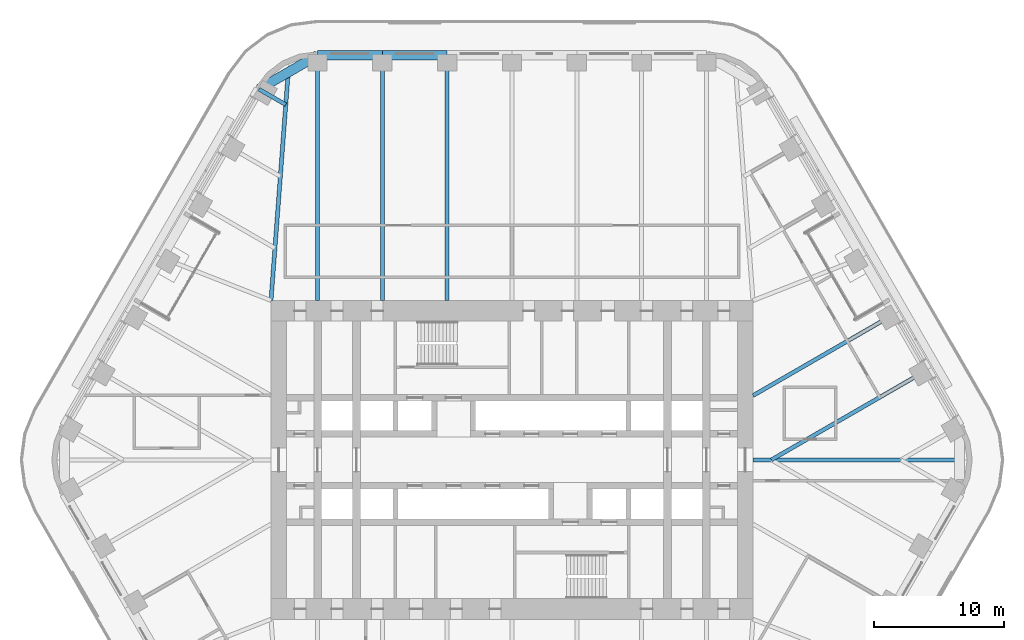
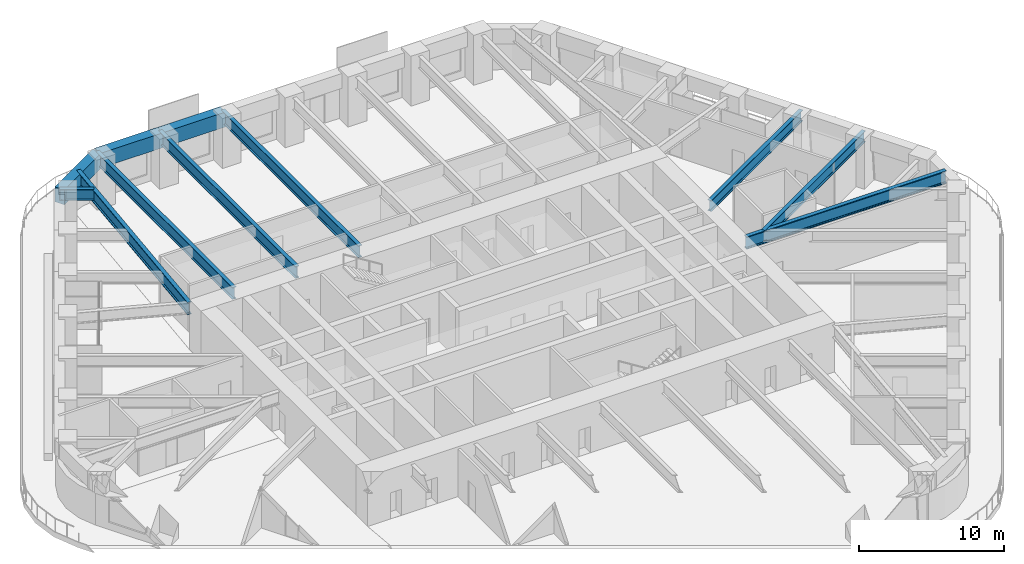
# One storey, part 10 of 24: 11 beams.
"""IFC4 building model written with IfcOpenShell, lengths in metres."""

from ifc_helpers import new_model, si_unit, direction, frame, origin, origin_2d, place, context, subcontext, project, spatial, rectangle, i_section, extrude, material, material_profile, profile_set, type_object, element, save


model = new_model("IFC4")

# Units and contexts
model_context = context("Model", 3, precision=1e-05, world=origin(), true_north=direction((0.0, 1.0)))
body_context = subcontext(model_context, "Body", "Model", "MODEL_VIEW")
ifc_project = project(units=[si_unit("LENGTHUNIT", "METRE"), si_unit("AREAUNIT", "SQUARE_METRE"), si_unit("VOLUMEUNIT", "CUBIC_METRE"), si_unit("PLANEANGLEUNIT", "RADIAN"), si_unit("MASSUNIT", "GRAM", prefix="KILO")], contexts=[model_context])

# Site, building, storey
site_placement = place(None, origin())
site = spatial("IfcSite", under=ifc_project, at=site_placement, CompositionType="ELEMENT")
building_placement = place(site_placement, origin())
building = spatial("IfcBuilding", under=site, at=building_placement, Name="Tarfa Lantern Tower", CompositionType="ELEMENT")
storey_placement = place(building_placement, frame((0.0, 0.0, 190.89990234375)))
storey = spatial("IfcBuildingStorey", under=building, at=storey_placement, Name="L43", CompositionType="ELEMENT", Elevation=190.89990234375)

# Beams
ifc_material_1 = material(Name="Concrete C80/95", Category="concrete")
ifc_material_profile_1 = material_profile(ifc_material_1, rectangle(XDim=0.75, YDim=1.25, at=origin_2d()), Name="RC 750x1250")
ifc_profile_set_1 = profile_set([ifc_material_profile_1], Name="Concrete C80/95")
beam_type_1 = type_object("IfcBeamType", Name="EB2 RC 750x1250", PredefinedType="SPANDREL", material=ifc_profile_set_1)
for number, where, z_axis, x_axis, name in (
    (1, (-5.003662109375, 31.219970703125, 3.375), (-1.0, 0.0, 0.0), (0.0, -1.0, 0.0), "Edge beam N4"),
    (2, (-10.00732421875, 31.219970703125, 3.375), (-1.0, 0.0, 0.0), (0.0, -1.0, 0.0), "Edge beam N5"),
):
    element("IfcBeam", number, at=place(storey_placement, frame(where, z_axis=z_axis, x_axis=x_axis)), inside=storey, type_object=beam_type_1, Name=name, PredefinedType="SPANDREL", context=body_context, shape_type="SweptSolid", body=[
        extrude(rectangle(XDim=0.75, YDim=1.25, at=origin_2d()), origin(), (0.0, 0.0, 1.0), 5.003662109375),
    ])
beam_1_placement = place(storey_placement, frame((-15.010986328125, 31.219970703125, 3.375), z_axis=(-0.86604150238, -0.499972115377, 0.0), x_axis=(0.499972115377, -0.86604150238, 0.0)))
element("IfcBeam", 3, at=beam_1_placement, inside=storey, type_object=beam_type_1, Name="Edge beam N6", PredefinedType="SPANDREL", context=body_context, shape_type="SweptSolid", body=[
    extrude(rectangle(XDim=0.75, YDim=1.25, at=origin_2d()), origin(), (0.0, 0.0, 1.0), 5.219970703125),
])
ifc_material_2 = material(Name="Steel S460M", Category="steel")
ifc_material_profile_2 = material_profile(ifc_material_2, i_section(OverallWidth=0.302001953125, OverallDepth=1.008056640625, WebThickness=0.02099609375, FlangeThickness=0.0400390625, FilletRadius=0.030029296875, at=origin_2d()), Name="UB1016x305x349")
ifc_profile_set_2 = profile_set([ifc_material_profile_2], Name="Steel S460M")
beam_type_2 = type_object("IfcBeamType", Name="UB1016x305x349", PredefinedType="BEAM", material=ifc_profile_set_2)
for number, where, z_axis, x_axis, name in (
    (4, (-5.003662109375, 31.219970703125, 3.49609375), (0.0, -1.0, 0.0), (1.0, 0.0, 0.0), "Floor beam N4"),
    (5, (-10.00732421875, 31.219970703125, 3.49609375), (0.0, -1.0, 0.0), (1.0, 0.0, 0.0), "Floor beam N5"),
    (6, (-15.010986328125, 31.219970703125, 3.49609375), (0.0, -1.0, 0.0), (1.0, 0.0, 0.0), "Floor beam N6"),
):
    element("IfcBeam", number, at=place(storey_placement, frame(where, z_axis=z_axis, x_axis=x_axis)), inside=storey, type_object=beam_type_2, Name=name, PredefinedType="BEAM", context=body_context, shape_type="SweptSolid", body=[
        extrude(i_section(OverallWidth=0.302001953125, OverallDepth=1.008056640625, WebThickness=0.02099609375, FlangeThickness=0.0400390625, FilletRadius=0.030029296875, at=origin_2d()), origin(), (0.0, 0.0, 1.0), 18.919921875),
    ])
ifc_material_profile_3 = material_profile(ifc_material_2, i_section(OverallWidth=0.314208984375, OverallDepth=1.055908203125, WebThickness=0.035888671875, FlangeThickness=0.06396484375, FilletRadius=0.030029296875, at=origin_2d()), Name="UB1016x305x584")
ifc_profile_set_3 = profile_set([ifc_material_profile_3], Name="Steel S460M")
beam_type_3 = type_object("IfcBeamType", Name="UB1016x305x584", PredefinedType="BEAM", material=ifc_profile_set_3)
beam_2_placement = place(storey_placement, frame((18.60009765625, 0.0, 3.47216796875), z_axis=(1.0, 0.0, 0.0), x_axis=(0.0, 1.0, 0.0)))
element("IfcBeam", 7, at=beam_2_placement, inside=storey, type_object=beam_type_3, Name="Hip girder E", PredefinedType="BEAM", context=body_context, shape_type="SweptSolid", body=[
    extrude(i_section(OverallWidth=0.314208984375, OverallDepth=1.055908203125, WebThickness=0.035888671875, FlangeThickness=0.06396484375, FilletRadius=0.030029296875, at=origin_2d()), origin(), (0.0, 0.0, 1.0), 15.94287109375),
])
beam_3_placement = place(storey_placement, frame((-18.60009765625, 12.300048828125, 3.47216796875), z_axis=(0.075211516041, 0.99716760269, 0.0), x_axis=(-0.99716760269, 0.075211516041, 0.0)))
element("IfcBeam", 8, at=beam_3_placement, inside=storey, type_object=beam_type_3, Name="Hip girder NW", PredefinedType="BEAM", context=body_context, shape_type="SweptSolid", body=[
    extrude(i_section(OverallWidth=0.314208984375, OverallDepth=1.055908203125, WebThickness=0.035888671875, FlangeThickness=0.06396484375, FilletRadius=0.030029296875, at=origin_2d()), origin(), (0.0, 0.0, 1.0), 17.6650390625),
])
ifc_material_profile_4 = material_profile(ifc_material_2, i_section(OverallWidth=0.305419921875, OverallDepth=0.91845703125, WebThickness=0.017333984375, FlangeThickness=0.02783203125, FilletRadius=0.01904296875, at=origin_2d()), Name="UB914x305x253")
ifc_profile_set_4 = profile_set([ifc_material_profile_4], Name="Steel S460M")
beam_type_4 = type_object("IfcBeamType", Name="UB914x305x253", PredefinedType="BEAM", material=ifc_profile_set_4)
beam_4_placement = place(storey_placement, frame((32.041015625, 6.943359375, 3.541015625), z_axis=(-0.866023096411, -0.500003996466, 0.0), x_axis=(0.500003996466, -0.866023096411, 0.0)))
element("IfcBeam", 9, at=beam_4_placement, inside=storey, type_object=beam_type_4, Name="Floor beam NE1", PredefinedType="BEAM", context=body_context, shape_type="SweptSolid", body=[
    extrude(i_section(OverallWidth=0.305419921875, OverallDepth=0.91845703125, WebThickness=0.017333984375, FlangeThickness=0.02783203125, FilletRadius=0.01904296875, at=origin_2d()), origin(), (0.0, 0.0, 1.0), 13.88671875),
])
beam_5_placement = place(storey_placement, frame((29.5390625, 11.276611328125, 3.541015625), z_axis=(-0.866023362995, -0.500003534735, 0.0), x_axis=(0.500003534735, -0.866023362995, 0.0)))
element("IfcBeam", 10, at=beam_5_placement, inside=storey, type_object=beam_type_4, Name="Floor beam NE2", PredefinedType="BEAM", context=body_context, shape_type="SweptSolid", body=[
    extrude(i_section(OverallWidth=0.305419921875, OverallDepth=0.91845703125, WebThickness=0.017333984375, FlangeThickness=0.02783203125, FilletRadius=0.01904296875, at=origin_2d()), origin(), (0.0, 0.0, 1.0), 12.63134765625),
])
beam_6_placement = place(storey_placement, frame((-19.53173828125, 28.610107421875, 3.541015625), z_axis=(0.865998640954, -0.500046351717, 0.0), x_axis=(0.500046351717, 0.865998640954, 0.0)))
element("IfcBeam", 11, at=beam_6_placement, inside=storey, type_object=beam_type_4, Name="Floor beam NW0", PredefinedType="BEAM", context=body_context, shape_type="SweptSolid", body=[
    extrude(i_section(OverallWidth=0.305419921875, OverallDepth=0.91845703125, WebThickness=0.017333984375, FlangeThickness=0.02783203125, FilletRadius=0.01904296875, at=origin_2d()), origin(), (0.0, 0.0, 1.0), 2.392333984375),
])

save(model, "model.ifc")
